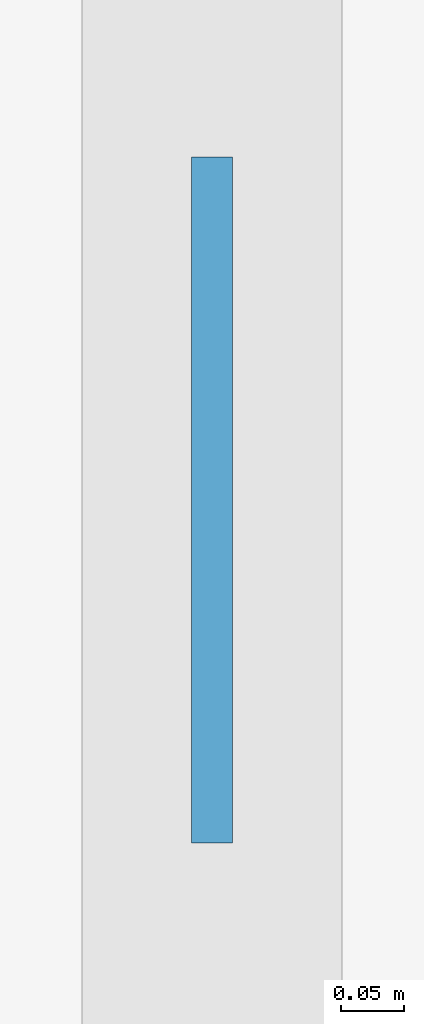
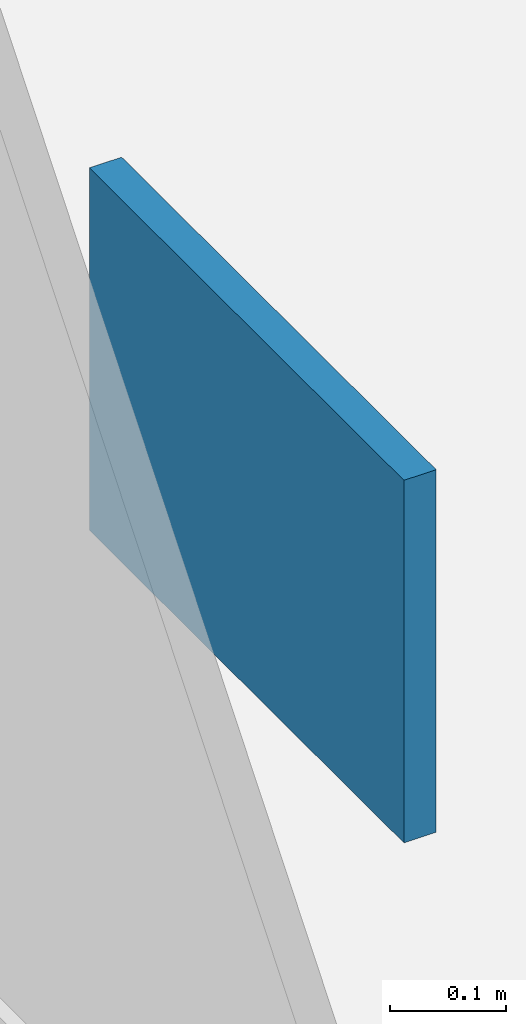
# One storey, part 24 of 30: 1 plate.
"""IFC4 building model written with IfcOpenShell, lengths in metres."""

import ifcopenshell
import ifcopenshell.guid

model = None  # the IFC model being written
_history = None  # IfcOwnerHistory: only IFC2X3 demands one
_inside = {}  # id of a spatial element -> (the spatial element, [elements in it])
_under = {}  # id of a project, library or spatial element -> (it, [spatial elements below it])
_declared = {}  # id of a project -> (the project, [libraries it declares])
_typed = {}  # id of a type object -> (the type object, [elements of that type])
_made_of = {}  # id of a material, layer set ... -> (it, [elements and type objects made of it])


def new_model(schema):
    """Start an empty IFC model of exactly this schema.

    Asked for "IFC4X3", IfcOpenShell would pick the latest addendum, in which some entities
    have other attributes; the version numbers below select the first issue.
    IFC2X3 requires an IfcOwnerHistory on every rooted entity: one is made here for all.
    """
    global model, _history
    if schema == "IFC4X3":
        model = ifcopenshell.file(schema_version=(4, 3, 0, 0))
    else:
        model = ifcopenshell.file(schema=schema)
    _inside.clear()
    _under.clear()
    _declared.clear()
    _typed.clear()
    _made_of.clear()
    _history = None
    if model.schema == "IFC2X3":
        org = make("IfcOrganization", Name="unknown")
        user = make(
            "IfcPersonAndOrganization",
            ThePerson=make("IfcPerson", FamilyName="unknown"),
            TheOrganization=org,
        )
        app = make(
            "IfcApplication",
            ApplicationDeveloper=org,
            Version="unknown",
            ApplicationFullName="unknown",
            ApplicationIdentifier="unknown",
        )
        _history = make(
            "IfcOwnerHistory",
            OwningUser=user,
            OwningApplication=app,
            ChangeAction="ADDED",
            CreationDate=0,
        )
    return model


def make(cls, **values):
    """One entity of the class cls with the attributes given. An attribute that is None is left unset."""
    return model.create_entity(
        cls, **{name: value for name, value in values.items() if value is not None}
    )


def rooted(cls, **values):
    """An entity with a GlobalId (a new one), such as an element, a storey or a relation."""
    return make(cls, GlobalId=ifcopenshell.guid.new(), OwnerHistory=_history, **values)


def si_unit(unit_type, name, prefix=None):
    """IfcSIUnit, for example si_unit("LENGTHUNIT", "METRE", prefix="MILLI")."""
    return make("IfcSIUnit", UnitType=unit_type, Prefix=prefix, Name=name)


def assignment(units):
    """IfcUnitAssignment: the units of a project."""
    return None if units is None else make("IfcUnitAssignment", Units=units)


def point(xyz):
    """IfcCartesianPoint."""
    return None if xyz is None else make("IfcCartesianPoint", Coordinates=xyz)


def direction(xyz):
    """IfcDirection."""
    return None if xyz is None else make("IfcDirection", DirectionRatios=xyz)


def frame(location, z_axis=None, x_axis=None):
    """IfcAxis2Placement3D, a coordinate frame: its origin and axes. An axis left out is left unset."""
    return make(
        "IfcAxis2Placement3D",
        Location=point(location),
        Axis=direction(z_axis),
        RefDirection=direction(x_axis),
    )


def frame_2d(location, x_axis=None):
    """IfcAxis2Placement2D, a coordinate frame in the plane: its origin and x axis."""
    return make(
        "IfcAxis2Placement2D", Location=point(location), RefDirection=direction(x_axis)
    )


def origin():
    """The frame at (0, 0, 0) with its axes left unset."""
    return frame((0.0, 0.0, 0.0))


def origin_2d():
    """The frame at (0, 0) in the plane with its x axis left unset."""
    return frame_2d((0.0, 0.0))


def place(relative_to, where):
    """IfcLocalPlacement: puts the frame where relative to a parent placement (None: the world)."""
    return make(
        "IfcLocalPlacement", PlacementRelTo=relative_to, RelativePlacement=where
    )


def context(
    kind, dimensions, precision=None, world=None, true_north=None, identifier=None
):
    """IfcGeometricRepresentationContext, for example the 3D "Model" context."""
    return make(
        "IfcGeometricRepresentationContext",
        ContextIdentifier=identifier,
        ContextType=kind,
        CoordinateSpaceDimension=dimensions,
        Precision=precision,
        WorldCoordinateSystem=world,
        TrueNorth=true_north,
    )


def subcontext(parent, identifier, kind, view, scale=None):
    """IfcGeometricRepresentationSubContext, for example "Body" below "Model"."""
    return make(
        "IfcGeometricRepresentationSubContext",
        ContextIdentifier=identifier,
        ContextType=kind,
        ParentContext=parent,
        TargetScale=scale,
        TargetView=view,
    )


def project(units=None, contexts=None):
    """IfcProject with its units and contexts."""
    return rooted(
        "IfcProject",
        Name="project",
        RepresentationContexts=contexts,
        UnitsInContext=assignment(units),
    )


def spatial(cls, under=None, at=None, **own):
    """A site, building, storey or space (cls), placed at a placement, below another one or the project."""
    s = rooted(cls, ObjectPlacement=at, **own)
    if under is not None:
        _under.setdefault(under.id(), (under, []))[1].append(s)
    return s


def profile(cls, at=None, kind="AREA", **sizes):
    """A parametric profile (cls). Its sizes go by their IFC names, for example OverallWidth=200.0."""
    return make(cls, ProfileType=kind, Position=at, **sizes)


def rectangle(**sizes):
    """IfcRectangleProfileDef."""
    return profile("IfcRectangleProfileDef", **sizes)


def extrude(swept, where, along, depth):
    """IfcExtrudedAreaSolid: the profile swept, set in the frame where, extruded along a direction by depth."""
    return make(
        "IfcExtrudedAreaSolid",
        SweptArea=swept,
        Position=where,
        ExtrudedDirection=direction(along),
        Depth=depth,
    )


def shape(context_of_items, identifier, shape_type, items):
    """IfcShapeRepresentation: the items that make up one representation, for example the "Body"."""
    return make(
        "IfcShapeRepresentation",
        ContextOfItems=context_of_items,
        RepresentationIdentifier=identifier,
        RepresentationType=shape_type,
        Items=items,
    )


def source(mapping_origin, context_of_items, identifier, shape_type, items):
    """IfcRepresentationMap: a shape defined once, which mapped items show again and again."""
    return make(
        "IfcRepresentationMap",
        MappingOrigin=mapping_origin,
        MappedRepresentation=shape(context_of_items, identifier, shape_type, items),
    )


def transform(
    local_origin,
    x_axis=None,
    y_axis=None,
    z_axis=None,
    scale=None,
    scale2=None,
    scale3=None,
    uniform=True,
):
    """IfcCartesianTransformationOperator3D, or its non-uniform kind. x_axis, y_axis, z_axis: its Axis1, 2, 3."""
    if uniform:
        return make(
            "IfcCartesianTransformationOperator3D",
            Axis1=direction(x_axis),
            Axis2=direction(y_axis),
            LocalOrigin=point(local_origin),
            Scale=scale,
            Axis3=direction(z_axis),
        )
    return make(
        "IfcCartesianTransformationOperator3DnonUniform",
        Axis1=direction(x_axis),
        Axis2=direction(y_axis),
        LocalOrigin=point(local_origin),
        Scale=scale,
        Axis3=direction(z_axis),
        Scale2=scale2,
        Scale3=scale3,
    )


def mapped(mapping_source, mapping_target):
    """IfcMappedItem: shows the shape of a source again, moved by a transform."""
    return make(
        "IfcMappedItem", MappingSource=mapping_source, MappingTarget=mapping_target
    )


def material(Name=None, Category=None):
    """IfcMaterial."""
    return make("IfcMaterial", Name=Name, Category=Category)


def layer(
    of_material, thickness, ventilated=None, Name=None, Category=None, Priority=None
):
    """IfcMaterialLayer: one layer of a wall or slab, of a material (None: an air gap)."""
    return make(
        "IfcMaterialLayer",
        Material=of_material,
        LayerThickness=thickness,
        IsVentilated=ventilated,
        Name=Name,
        Category=Category,
        Priority=Priority,
    )


def layer_set(layers, Name=None):
    """IfcMaterialLayerSet."""
    return make("IfcMaterialLayerSet", MaterialLayers=layers, LayerSetName=Name)


def made_of(thing, what):
    """Note that an element or type object is made of a material, layer set ...; save() writes the relation."""
    if what is not None:
        _made_of.setdefault(what.id(), (what, []))[1].append(thing)
    return thing


def type_object(cls, material=None, **own):
    """A type object (cls), such as IfcWallType, which elements share."""
    return made_of(rooted(cls, **own), material)


def type_shapes(of_type, sources):
    """Give a type object the sources (RepresentationMaps) that its elements show as mapped items."""
    of_type.RepresentationMaps = sources


def element(
    cls,
    number,
    at=None,
    inside=None,
    cuts=None,
    type_object=None,
    material=None,
    context=None,
    identifier="Body",
    shape_type=None,
    held_by="IfcProductDefinitionShape",
    body=None,
    shapes=None,
    **own,
):
    """One element of the class cls, such as IfcWall. Its Tag is "e" and its number.

    at: its placement. inside: the storey or other place that contains it. cuts: it is an
    opening in that element (IfcRelVoidsElement). A single representation is given by context,
    identifier, shape_type and body (its items); several are given by shapes. held_by: the class
    of the entity that holds the representations. save() writes the other relations.
    """
    e = rooted(cls, Tag="e%d" % number, ObjectPlacement=at, **own)
    if body is not None:
        shapes = [shape(context, identifier, shape_type, body)]
    if shapes is not None:
        e.Representation = make(held_by, Representations=shapes)
    if inside is not None:
        _inside.setdefault(inside.id(), (inside, []))[1].append(e)
    if cuts is not None:
        rooted(
            "IfcRelVoidsElement", RelatingBuildingElement=cuts, RelatedOpeningElement=e
        )
    if type_object is not None:
        _typed.setdefault(type_object.id(), (type_object, []))[1].append(e)
    return made_of(e, material)


def aggregate(whole, parts):
    """IfcRelAggregates: a whole, such as a stair, and the parts it consists of."""
    return rooted("IfcRelAggregates", RelatingObject=whole, RelatedObjects=parts)


def save(model, path):
    """Write the relations noted so far, then the file.

    IfcRelAggregates (storeys below a building ...), IfcRelContainedInSpatialStructure (elements
    in a storey), IfcRelDefinesByType, IfcRelAssociatesMaterial and IfcRelDeclares: one each for
    every whole, place, type object, material and project.
    """
    for whole, parts in _under.values():
        aggregate(whole, parts)
    for where, things in _inside.values():
        rooted(
            "IfcRelContainedInSpatialStructure",
            RelatedElements=things,
            RelatingStructure=where,
        )
    for kind, things in _typed.values():
        rooted("IfcRelDefinesByType", RelatedObjects=things, RelatingType=kind)
    for what, things in _made_of.values():
        rooted("IfcRelAssociatesMaterial", RelatedObjects=things, RelatingMaterial=what)
    for by, libraries in _declared.values():
        rooted("IfcRelDeclares", RelatingContext=by, RelatedDefinitions=libraries)
    model.write(path)


model = new_model("IFC4")

# Units and contexts
model_context = context("Model", 3, precision=1e-05, world=origin(), true_north=direction((0.0, 1.0)))
body_context = subcontext(model_context, "Body", "Model", "MODEL_VIEW")
ifc_project = project(units=[si_unit("LENGTHUNIT", "METRE"), si_unit("AREAUNIT", "SQUARE_METRE"), si_unit("VOLUMEUNIT", "CUBIC_METRE"), si_unit("PLANEANGLEUNIT", "RADIAN"), si_unit("MASSUNIT", "GRAM", prefix="KILO")], contexts=[model_context])

# Site, building, storey
site_placement = place(None, origin())
site = spatial("IfcSite", under=ifc_project, at=site_placement, CompositionType="ELEMENT")
building_placement = place(site_placement, origin())
building = spatial("IfcBuilding", under=site, at=building_placement, Name="Varnel Quay Broadcast Tower", CompositionType="ELEMENT")
storey_placement = place(building_placement, frame((0.0, 0.0, 222.60009765625)))
storey = spatial("IfcBuildingStorey", under=building, at=storey_placement, Name="L55", CompositionType="ELEMENT", Elevation=222.60009765625)

# Plate
ifc_material = material(Name="Structural Steel CSA G40.21 350WT", Category="steel")
ifc_layer = layer(ifc_material, 0.031982421875, Name="Structural Steel CSA G40.21 350WT")
ifc_layer_set = layer_set([ifc_layer], Name="Structural Steel CSA G40.21 350WT")
plate_type = type_object("IfcPlateType", Name="Plate_EndCap", PredefinedType="USERDEFINED", material=ifc_layer_set)
shared_shape = source(origin(), body_context, "Body", "SweptSolid", [
    extrude(rectangle(XDim=0.5400390625, YDim=0.031982421875, at=origin_2d()), origin(), (0.0, 0.0, 1.0), 0.3798828125),
])
type_shapes(plate_type, [shared_shape])
plate_placement = place(storey_placement, frame((9.949951171875, 24.693359375, 0.25634765625), z_axis=(0.0, 0.0, 1.0), x_axis=(0.0, 1.0, 0.0)))
element("IfcPlate", 1, at=plate_placement, inside=storey, type_object=plate_type, Name="Zone 4 Mega-Brace W-FT2 Diag B2 End Connection Plate P0", ObjectType="CAP_PLATE", PredefinedType="USERDEFINED", context=body_context, shape_type="MappedRepresentation", body=[
    mapped(shared_shape, transform((0.0, 0.0, 0.0), x_axis=(1.0, 0.0, 0.0), y_axis=(0.0, 1.0, 0.0), z_axis=(0.0, 0.0, 1.0), scale=1.0)),
])

save(model, "model.ifc")
